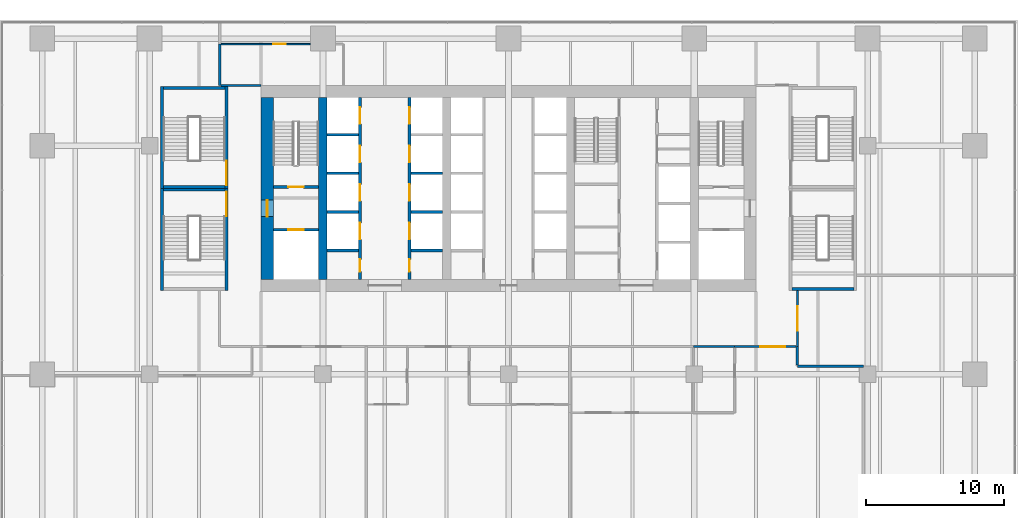
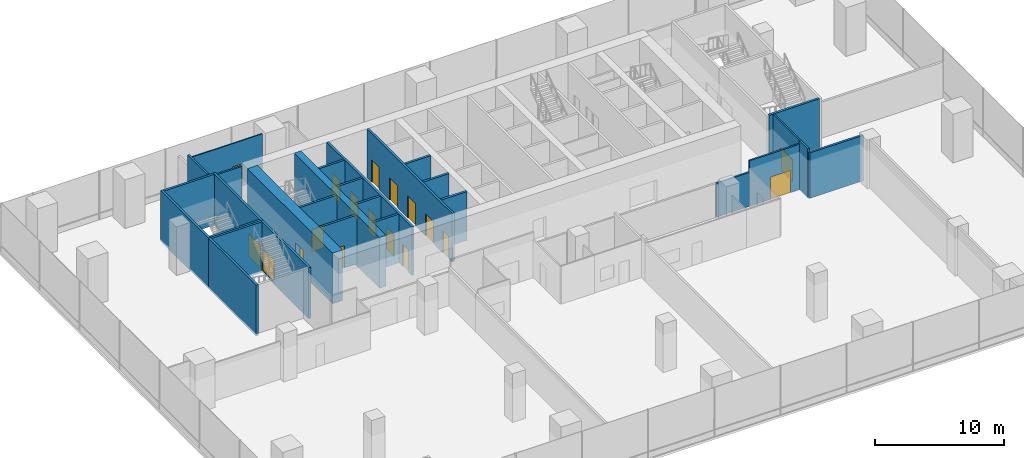
# One storey, part 20 of 28: 29 walls, 18 doors, 18 openings.
"""IFC4 building model written with IfcOpenShell, lengths in metres."""

from ifc_helpers import new_model, si_unit, direction, frame, frame_2d, origin, place, context, subcontext, project, spatial, rectangle, extrude, material, layer, layer_set, type_object, element, fill, save


model = new_model("IFC4")

# Units and contexts
model_context = context("Model", 3, precision=1e-05, world=origin(), true_north=direction((0.0, 1.0)))
body_context = subcontext(model_context, "Body", "Model", "MODEL_VIEW")
ifc_project = project(units=[si_unit("LENGTHUNIT", "METRE"), si_unit("AREAUNIT", "SQUARE_METRE"), si_unit("VOLUMEUNIT", "CUBIC_METRE"), si_unit("PLANEANGLEUNIT", "RADIAN"), si_unit("MASSUNIT", "GRAM", prefix="KILO")], contexts=[model_context])

# Site, building, storey
site_placement = place(None, origin())
site = spatial("IfcSite", under=ifc_project, at=site_placement, CompositionType="ELEMENT")
building_placement = place(site_placement, origin())
building = spatial("IfcBuilding", under=site, at=building_placement, Name="Rattan Terrace Tower", CompositionType="ELEMENT")
storey_placement = place(building_placement, frame((0.0, 0.0, 17.39990234375)))
storey = spatial("IfcBuildingStorey", under=building, at=storey_placement, Name="L03", CompositionType="ELEMENT", Elevation=17.39990234375)

# Wall, opening, door
ifc_material_1 = material(Name="Gypsum board partition")
ifc_layer_1 = layer(ifc_material_1, 0.199951171875)
ifc_layer_set_1 = layer_set([ifc_layer_1], Name="Core partition 200")
wall_type_1 = type_object("IfcWallType", Name="Core partition 200", PredefinedType="PARTITIONING", material=ifc_layer_set_1)
wall_1_placement = place(storey_placement, frame((-17.10009765625, -3.0, 0.0), z_axis=(0.0, 0.0, 1.0), x_axis=(1.0, 0.0, 0.0)))
wall_1 = element("IfcWall", 1, at=wall_1_placement, inside=storey, type_object=wall_type_1, Name="Fire-fighting lobby wall", PredefinedType="PARTITIONING", context=body_context, shape_type="SweptSolid", body=[
    extrude(rectangle(XDim=3.300048828125, YDim=0.199951171875, at=frame_2d((1.64990234375, 0.0))), origin(), (0.0, 0.0, 1.0), 4.60009765625),
])
opening_1_placement = place(wall_1_placement, frame((1.10009765625, 0.0, 0.0)))
opening_1 = element("IfcOpeningElement", 2, at=opening_1_placement, cuts=wall_1, Name="Opening L03-LD-FF1", PredefinedType="OPENING", context=body_context, shape_type="SweptSolid", body=[
    extrude(rectangle(XDim=1.10009765625, YDim=2.10009765625, at=frame_2d((0.550048828125, 1.050048828125))), frame((0.0, 0.110595703125, 0.0), z_axis=(0.0, -1.0, 0.0), x_axis=(1.0, 0.0, 0.0)), (0.0, 0.0, 1.0), 0.220947265625),
])
ifc_material_2 = material(Name="Brushed stainless landing door panel")
door_type_1 = type_object("IfcDoorType", Name="Core lift landing door 1100", OperationType="DOUBLE_DOOR_SLIDING", PredefinedType="DOOR", material=ifc_material_2)
door_1_placement = place(opening_1_placement, origin())
door_1 = element("IfcDoor", 3, at=door_1_placement, inside=storey, type_object=door_type_1, Name="Door L03-LD-FF1", OperationType="DOUBLE_DOOR_SLIDING", OverallHeight=2.10009765625, OverallWidth=1.10009765625, PredefinedType="DOOR", context=body_context, shape_type="SweptSolid", body=[
    extrude(rectangle(XDim=1.10009765625, YDim=2.10009765625, at=frame_2d((0.550048828125, 1.050048828125))), frame((0.0, 0.02490234375, 0.0), z_axis=(0.0, -1.0, 0.0), x_axis=(1.0, 0.0, 0.0)), (0.0, 0.0, 1.0), 0.050048828125),
])
fill(opening_1, door_1)

wall_2_placement = place(storey_placement, frame((-17.10009765625, 0.10009765625, 0.0), z_axis=(0.0, 0.0, 1.0), x_axis=(1.0, 0.0, 0.0)))
wall_2 = element("IfcWall", 4, at=wall_2_placement, inside=storey, type_object=wall_type_1, Name="Stair enclosure wall", PredefinedType="PARTITIONING", context=body_context, shape_type="SweptSolid", body=[
    extrude(rectangle(XDim=3.300048828125, YDim=0.199951171875, at=frame_2d((1.64990234375, 0.0))), origin(), (0.0, 0.0, 1.0), 4.60009765625),
])
opening_2_placement = place(wall_2_placement, frame((1.10009765625, 0.0, 0.0)))
opening_2 = element("IfcOpeningElement", 5, at=opening_2_placement, cuts=wall_2, Name="Opening L03-D002", PredefinedType="OPENING", context=body_context, shape_type="SweptSolid", body=[
    extrude(rectangle(XDim=1.10009765625, YDim=2.10009765625, at=frame_2d((0.550048828125, 1.050048828125))), frame((0.0, 0.110595703125, 0.0), z_axis=(0.0, -1.0, 0.0), x_axis=(1.0, 0.0, 0.0)), (0.0, 0.0, 1.0), 0.220947265625),
])
ifc_material_3 = material(Name="Hollow-metal fire door leaf")
door_type_2 = type_object("IfcDoorType", Name="Core stair door 1100", OperationType="NOTDEFINED", PredefinedType="DOOR", material=ifc_material_3)
door_2_placement = place(opening_2_placement, origin())
door_2 = element("IfcDoor", 6, at=door_2_placement, inside=storey, type_object=door_type_2, Name="Door L03-D002", OperationType="SINGLE_SWING_LEFT", OverallHeight=2.10009765625, OverallWidth=1.10009765625, PredefinedType="DOOR", context=body_context, shape_type="SweptSolid", body=[
    extrude(rectangle(XDim=1.10009765625, YDim=2.10009765625, at=frame_2d((0.550048828125, 1.050048828125))), frame((0.0, 0.02490234375, 0.0), z_axis=(0.0, -1.0, 0.0), x_axis=(1.0, 0.0, 0.0)), (0.0, 0.0, 1.0), 0.050048828125),
])
fill(opening_2, door_2)

ifc_material_4 = material(Name="Concrete C70/85", Category="concrete")
ifc_layer_2 = layer(ifc_material_4, 0.89990234375)
ifc_layer_set_2 = layer_set([ifc_layer_2], Name="Core ring wall 900 C70/85")
wall_type_2 = type_object("IfcWallType", Name="Core ring wall 900 C70/85", PredefinedType="SHEAR", material=ifc_layer_set_2)
wall_3_placement = place(storey_placement, frame((-17.550048828125, -6.60009765625, -0.199951171875), z_axis=(0.0, 0.0, 1.0), x_axis=(0.0, 1.0, 0.0)))
wall_3 = element("IfcWall", 7, at=wall_3_placement, inside=storey, type_object=wall_type_2, Name="Rear core wall west", PredefinedType="SHEAR", context=body_context, shape_type="SweptSolid", body=[
    extrude(rectangle(XDim=13.2001953125, YDim=0.89990234375, at=frame_2d((6.60009765625, 0.0))), origin(), (0.0, 0.0, 1.0), 4.800048828125),
])
opening_3_placement = place(wall_3_placement, frame((4.550048828125, 0.0, 0.199951171875)))
opening_3 = element("IfcOpeningElement", 8, at=opening_3_placement, cuts=wall_3, Name="Opening L03-D001", PredefinedType="OPENING", context=body_context, shape_type="SweptSolid", body=[
    extrude(rectangle(XDim=1.199951171875, YDim=2.10009765625, at=frame_2d((0.60009765625, 1.050048828125))), frame((0.0, 0.46044921875, 0.0), z_axis=(0.0, -1.0, 0.0), x_axis=(1.0, 0.0, 0.0)), (0.0, 0.0, 1.0), 0.9208984375),
])
ifc_material_5 = material(Name="Hollow-metal fire door leaf")
door_type_3 = type_object("IfcDoorType", Name="Core fire-fighting lobby door 1200", OperationType="NOTDEFINED", PredefinedType="DOOR", material=ifc_material_5)
door_3_placement = place(opening_3_placement, origin())
door_3 = element("IfcDoor", 9, at=door_3_placement, inside=storey, type_object=door_type_3, Name="Door L03-D001", OperationType="SINGLE_SWING_RIGHT", OverallHeight=2.10009765625, OverallWidth=1.199951171875, PredefinedType="DOOR", context=body_context, shape_type="SweptSolid", body=[
    extrude(rectangle(XDim=1.199951171875, YDim=2.10009765625, at=frame_2d((0.60009765625, 1.050048828125))), frame((0.0, 0.02490234375, 0.0), z_axis=(0.0, -1.0, 0.0), x_axis=(1.0, 0.0, 0.0)), (0.0, 0.0, 1.0), 0.050048828125),
])
fill(opening_3, door_3)

# Walls
ifc_material_6 = material(Name="Concrete C70/85", Category="concrete")
ifc_layer_3 = layer(ifc_material_6, 0.60009765625)
ifc_layer_set_3 = layer_set([ifc_layer_3], Name="Core spine wall 600 C70/85")
wall_type_3 = type_object("IfcWallType", Name="Core spine wall 600 C70/85", PredefinedType="SHEAR", material=ifc_layer_set_3)
wall_4_placement = place(storey_placement, frame((-13.5, -6.60009765625, -0.199951171875), z_axis=(0.0, 0.0, 1.0), x_axis=(0.0, 1.0, 0.0)))
element("IfcWall", 10, at=wall_4_placement, inside=storey, type_object=wall_type_3, Name="Core spine wall 1", PredefinedType="SHEAR", context=body_context, shape_type="SweptSolid", body=[
    extrude(rectangle(XDim=13.2001953125, YDim=0.60009765625, at=frame_2d((6.60009765625, 0.0))), origin(), (0.0, 0.0, 1.0), 4.800048828125),
])
ifc_material_7 = material(Name="Double steel stud acoustic partition, gypsum board, mineral wool, fire rated", Category="steel")
ifc_layer_4 = layer(ifc_material_7, 0.179931640625)
ifc_layer_set_4 = layer_set([ifc_layer_4], Name="Floors Acoustic Party Wall 180")
wall_type_4 = type_object("IfcWallType", Name="Floors Acoustic Party Wall 180", PredefinedType="PARTITIONING", material=ifc_layer_set_4)
wall_5_placement = place(storey_placement, frame((-21.0, 10.52001953125, 0.0), z_axis=(0.0, 0.0, 1.0), x_axis=(0.0, -1.0, 0.0)))
element("IfcWall", 11, at=wall_5_placement, inside=storey, type_object=wall_type_4, Name="pt-L03-021", PredefinedType="PARTITIONING", context=body_context, shape_type="SweptSolid", body=[
    extrude(rectangle(XDim=3.0400390625, YDim=0.179931640625, at=frame_2d((1.52001953125, 0.0))), origin(), (0.0, 0.0, 1.0), 4.60009765625),
])
wall_6_placement = place(storey_placement, frame((20.9990234375, -11.5, 0.0), z_axis=(0.0, 0.0, 1.0), x_axis=(0.0, -1.0, 0.0)))
element("IfcWall", 12, at=wall_6_placement, inside=storey, type_object=wall_type_4, Name="pt-L03-035", PredefinedType="PARTITIONING", context=body_context, shape_type="SweptSolid", body=[
    extrude(rectangle(XDim=1.319091796875, YDim=0.179931640625, at=frame_2d((0.65966796875, 0.0))), origin(), (0.0, 0.0, 1.0), 4.60009765625),
])
wall_7_placement = place(storey_placement, frame((21.0, -12.908935546875, 0.0), z_axis=(0.0, 0.0, 1.0), x_axis=(1.0, 0.0, 0.0)))
element("IfcWall", 13, at=wall_7_placement, inside=storey, type_object=wall_type_4, Name="pt-L03-036", PredefinedType="PARTITIONING", context=body_context, shape_type="SweptSolid", body=[
    extrude(rectangle(XDim=4.800048828125, YDim=0.179931640625, at=frame_2d((2.39990234375, 0.0))), origin(), (0.0, 0.0, 1.0), 4.300048828125),
])

# Wall, opening, door
ifc_material_8 = material(Name="Gypsum board partition on steel studs", Category="steel")
ifc_layer_5 = layer(ifc_material_8, 0.10009765625)
ifc_layer_set_5 = layer_set([ifc_layer_5], Name="Floors Partition 100")
wall_type_5 = type_object("IfcWallType", Name="Floors Partition 100", PredefinedType="PARTITIONING", material=ifc_layer_set_5)
wall_8_placement = place(storey_placement, frame((-14.419921875, 10.5, 0.0), z_axis=(0.0, 0.0, 1.0), x_axis=(-1.0, 0.0, 0.0)))
wall_8 = element("IfcWall", 14, at=wall_8_placement, inside=storey, type_object=wall_type_5, Name="pt-L03-043", PredefinedType="PARTITIONING", context=body_context, shape_type="SweptSolid", body=[
    extrude(rectangle(XDim=6.489990234375, YDim=0.10009765625, at=frame_2d((3.2451171875, 0.0))), origin(), (0.0, 0.0, 1.0), 4.300048828125),
])
opening_4_placement = place(wall_8_placement, frame((1.777099609375, 0.0, 0.0)))
opening_4 = element("IfcOpeningElement", 15, at=opening_4_placement, cuts=wall_8, Name="Opening L03-D111", PredefinedType="OPENING", context=body_context, shape_type="SweptSolid", body=[
    extrude(rectangle(XDim=0.89990234375, YDim=2.10009765625, at=frame_2d((0.449951171875, 1.050048828125))), frame((0.0, 0.060546875, 0.0), z_axis=(0.0, -1.0, 0.0), x_axis=(1.0, 0.0, 0.0)), (0.0, 0.0, 1.0), 0.12109375),
])
ifc_material_9 = material(Name="Solid core timber door, painted", Category="wood")
door_type_4 = type_object("IfcDoorType", Name="Floors Door 900x2100", OperationType="NOTDEFINED", PredefinedType="DOOR", material=ifc_material_9)
door_4_placement = place(opening_4_placement, origin())
door_4 = element("IfcDoor", 16, at=door_4_placement, inside=storey, type_object=door_type_4, Name="d-L03-111", OperationType="SINGLE_SWING_LEFT", OverallHeight=2.10009765625, OverallWidth=0.89990234375, PredefinedType="DOOR", context=body_context, shape_type="SweptSolid", body=[
    extrude(rectangle(XDim=0.89990234375, YDim=2.10009765625, at=frame_2d((0.449951171875, 1.050048828125))), frame((0.0, 0.02490234375, 0.0), z_axis=(0.0, -1.0, 0.0), x_axis=(1.0, 0.0, 0.0)), (0.0, 0.0, 1.0), 0.050048828125),
])
fill(opening_4, door_4)

ifc_material_10 = material(Name="Gypsum board partition on steel studs, fire rated", Category="steel")
ifc_layer_6 = layer(ifc_material_10, 0.14990234375)
ifc_layer_set_6 = layer_set([ifc_layer_6], Name="Floors Tenancy Wall 150")
wall_type_6 = type_object("IfcWallType", Name="Floors Tenancy Wall 150", PredefinedType="PARTITIONING", material=ifc_layer_set_6)
wall_9_placement = place(storey_placement, frame((20.908935546875, -11.5, 0.0), z_axis=(0.0, 0.0, 1.0), x_axis=(-1.0, 0.0, 0.0)))
wall_9 = element("IfcWall", 17, at=wall_9_placement, inside=storey, type_object=wall_type_6, Name="pt-L03-008", PredefinedType="PARTITIONING", context=body_context, shape_type="SweptSolid", body=[
    extrude(rectangle(XDim=4.489013671875, YDim=0.14990234375, at=frame_2d((2.24462890625, 0.0))), origin(), (0.0, 0.0, 1.0), 4.300048828125),
])
opening_5_placement = place(wall_9_placement, frame((0.797119140625, 0.0, 0.0)))
opening_5 = element("IfcOpeningElement", 18, at=opening_5_placement, cuts=wall_9, Name="Opening L03-D106", PredefinedType="OPENING", context=body_context, shape_type="SweptSolid", body=[
    extrude(rectangle(XDim=1.800048828125, YDim=2.10009765625, at=frame_2d((0.89990234375, 1.050048828125))), frame((0.0, 0.08544921875, 0.0), z_axis=(0.0, -1.0, 0.0), x_axis=(1.0, 0.0, 0.0)), (0.0, 0.0, 1.0), 0.1708984375),
])
ifc_material_11 = material(Name="Steel fire door set", Category="steel")
door_type_5 = type_object("IfcDoorType", Name="Floors Fire Door Pair FD30S 1800x2100", OperationType="NOTDEFINED", PredefinedType="DOOR", material=ifc_material_11)
door_5_placement = place(opening_5_placement, origin())
door_5 = element("IfcDoor", 19, at=door_5_placement, inside=storey, type_object=door_type_5, Name="d-L03-106", OperationType="DOUBLE_DOOR_SINGLE_SWING", OverallHeight=2.10009765625, OverallWidth=1.800048828125, PredefinedType="DOOR", context=body_context, shape_type="SweptSolid", body=[
    extrude(rectangle(XDim=1.800048828125, YDim=2.10009765625, at=frame_2d((0.89990234375, 1.050048828125))), frame((0.0, 0.02490234375, 0.0), z_axis=(0.0, -1.0, 0.0), x_axis=(1.0, 0.0, 0.0)), (0.0, 0.0, 1.0), 0.050048828125),
])
fill(opening_5, door_5)

# Wall
wall_10_placement = place(storey_placement, frame((16.419921875, -11.5, 0.0), z_axis=(0.0, 0.0, 1.0), x_axis=(-1.0, 0.0, 0.0)))
element("IfcWall", 20, at=wall_10_placement, inside=storey, type_object=wall_type_6, Name="pt-L03-010", PredefinedType="PARTITIONING", context=body_context, shape_type="SweptSolid", body=[
    extrude(rectangle(XDim=2.9599609375, YDim=0.14990234375, at=frame_2d((1.47998046875, 0.0))), origin(), (0.0, 0.0, 1.0), 3.2001953125),
])

# Wall, opening, door
wall_11_placement = place(storey_placement, frame((21.0, -7.39990234375, 0.0), z_axis=(0.0, 0.0, 1.0), x_axis=(0.0, -1.0, 0.0)))
wall_11 = element("IfcWall", 21, at=wall_11_placement, inside=storey, type_object=wall_type_6, Name="pt-L03-011", PredefinedType="PARTITIONING", context=body_context, shape_type="SweptSolid", body=[
    extrude(rectangle(XDim=4.10009765625, YDim=0.14990234375, at=frame_2d((2.050048828125, 0.0))), origin(), (0.0, 0.0, 1.0), 4.60009765625),
])
opening_6_placement = place(wall_11_placement, frame((1.14990234375, 0.0, 0.0)))
opening_6 = element("IfcOpeningElement", 22, at=opening_6_placement, cuts=wall_11, Name="Opening L03-D109", PredefinedType="OPENING", context=body_context, shape_type="SweptSolid", body=[
    extrude(rectangle(XDim=1.800048828125, YDim=2.10009765625, at=frame_2d((0.89990234375, 1.050048828125))), frame((0.0, 0.08544921875, 0.0), z_axis=(0.0, -1.0, 0.0), x_axis=(1.0, 0.0, 0.0)), (0.0, 0.0, 1.0), 0.1708984375),
])
door_6_placement = place(opening_6_placement, origin())
door_6 = element("IfcDoor", 23, at=door_6_placement, inside=storey, type_object=door_type_5, Name="d-L03-109", OperationType="DOUBLE_DOOR_SINGLE_SWING", OverallHeight=2.10009765625, OverallWidth=1.800048828125, PredefinedType="DOOR", context=body_context, shape_type="SweptSolid", body=[
    extrude(rectangle(XDim=1.800048828125, YDim=2.10009765625, at=frame_2d((0.89990234375, 1.050048828125))), frame((0.0, 0.02490234375, 0.0), z_axis=(0.0, -1.0, 0.0), x_axis=(1.0, 0.0, 0.0)), (0.0, 0.0, 1.0), 0.050048828125),
])
fill(opening_6, door_6)

# Wall
wall_12_placement = place(storey_placement, frame((-20.909912109375, 7.4990234375, 0.0), z_axis=(0.0, 0.0, 1.0), x_axis=(1.0, 0.0, 0.0)))
element("IfcWall", 24, at=wall_12_placement, inside=storey, type_object=wall_type_6, Name="pt-L03-013", PredefinedType="PARTITIONING", context=body_context, shape_type="SweptSolid", body=[
    extrude(rectangle(XDim=2.909912109375, YDim=0.14990234375, at=frame_2d((1.455078125, 0.0))), origin(), (0.0, 0.0, 1.0), 4.300048828125),
])

# Wall, openings, doors
ifc_material_12 = material(Name="Gypsum shaft wall system")
ifc_layer_7 = layer(ifc_material_12, 0.199951171875)
ifc_layer_set_7 = layer_set([ifc_layer_7], Name="Lift shaft wall 200")
wall_type_7 = type_object("IfcWallType", Name="Lift shaft wall 200", PredefinedType="PARTITIONING", material=ifc_layer_set_7)
wall_13_placement = place(storey_placement, frame((-10.800048828125, -6.60009765625, 0.0), z_axis=(0.0, 0.0, 1.0), x_axis=(0.0, 1.0, 0.0)))
wall_13 = element("IfcWall", 25, at=wall_13_placement, inside=storey, type_object=wall_type_7, Name="Lift shaft front wall", PredefinedType="PARTITIONING", context=body_context, shape_type="SweptSolid", body=[
    extrude(rectangle(XDim=13.2001953125, YDim=0.199951171875, at=frame_2d((6.60009765625, 0.0))), origin(), (0.0, 0.0, 1.0), 4.60009765625),
])
opening_7_placement = place(wall_13_placement, frame((0.550048828125, 0.0, 0.0)))
opening_7 = element("IfcOpeningElement", 26, at=opening_7_placement, cuts=wall_13, Name="Opening L03-D005", PredefinedType="OPENING", context=body_context, shape_type="SweptSolid", body=[
    extrude(rectangle(XDim=0.89990234375, YDim=2.10009765625, at=frame_2d((0.449951171875, 1.050048828125))), frame((0.0, 0.110595703125, 0.0), z_axis=(0.0, -1.0, 0.0), x_axis=(1.0, 0.0, 0.0)), (0.0, 0.0, 1.0), 0.220947265625),
])
opening_8_placement = place(wall_13_placement, frame((2.89990234375, 0.0, 0.0)))
opening_8 = element("IfcOpeningElement", 27, at=opening_8_placement, cuts=wall_13, Name="Opening L03-LD-LR1", PredefinedType="OPENING", context=body_context, shape_type="SweptSolid", body=[
    extrude(rectangle(XDim=1.199951171875, YDim=2.10009765625, at=frame_2d((0.60009765625, 1.050048828125))), frame((0.0, 0.110595703125, 0.0), z_axis=(0.0, -1.0, 0.0), x_axis=(1.0, 0.0, 0.0)), (0.0, 0.0, 1.0), 0.220947265625),
])
opening_9_placement = place(wall_13_placement, frame((5.699951171875, 0.0, 0.0)))
opening_9 = element("IfcOpeningElement", 28, at=opening_9_placement, cuts=wall_13, Name="Opening L03-LD-LR2", PredefinedType="OPENING", context=body_context, shape_type="SweptSolid", body=[
    extrude(rectangle(XDim=1.199951171875, YDim=2.10009765625, at=frame_2d((0.60009765625, 1.050048828125))), frame((0.0, 0.110595703125, 0.0), z_axis=(0.0, -1.0, 0.0), x_axis=(1.0, 0.0, 0.0)), (0.0, 0.0, 1.0), 0.220947265625),
])
opening_10_placement = place(wall_13_placement, frame((8.5, 0.0, 0.0)))
opening_10 = element("IfcOpeningElement", 29, at=opening_10_placement, cuts=wall_13, Name="Opening L03-LD-LR3", PredefinedType="OPENING", context=body_context, shape_type="SweptSolid", body=[
    extrude(rectangle(XDim=1.199951171875, YDim=2.10009765625, at=frame_2d((0.60009765625, 1.050048828125))), frame((0.0, 0.110595703125, 0.0), z_axis=(0.0, -1.0, 0.0), x_axis=(1.0, 0.0, 0.0)), (0.0, 0.0, 1.0), 0.220947265625),
])
opening_11_placement = place(wall_13_placement, frame((11.300048828125, 0.0, 0.0)))
opening_11 = element("IfcOpeningElement", 30, at=opening_11_placement, cuts=wall_13, Name="Opening L03-LD-LR4", PredefinedType="OPENING", context=body_context, shape_type="SweptSolid", body=[
    extrude(rectangle(XDim=1.199951171875, YDim=2.10009765625, at=frame_2d((0.60009765625, 1.050048828125))), frame((0.0, 0.110595703125, 0.0), z_axis=(0.0, -1.0, 0.0), x_axis=(1.0, 0.0, 0.0)), (0.0, 0.0, 1.0), 0.220947265625),
])
ifc_material_13 = material(Name="Brushed stainless landing door panel")
door_type_6 = type_object("IfcDoorType", Name="Core lift landing door 1200", OperationType="DOUBLE_DOOR_SLIDING", PredefinedType="DOOR", material=ifc_material_13)
door_7_placement = place(opening_8_placement, origin())
door_7 = element("IfcDoor", 31, at=door_7_placement, inside=storey, type_object=door_type_6, Name="Door L03-LD-LR1", OperationType="DOUBLE_DOOR_SLIDING", OverallHeight=2.10009765625, OverallWidth=1.199951171875, PredefinedType="DOOR", context=body_context, shape_type="SweptSolid", body=[
    extrude(rectangle(XDim=1.199951171875, YDim=2.10009765625, at=frame_2d((0.60009765625, 1.050048828125))), frame((0.0, 0.02490234375, 0.0), z_axis=(0.0, -1.0, 0.0), x_axis=(1.0, 0.0, 0.0)), (0.0, 0.0, 1.0), 0.050048828125),
])
fill(opening_8, door_7)
door_8_placement = place(opening_9_placement, origin())
door_8 = element("IfcDoor", 32, at=door_8_placement, inside=storey, type_object=door_type_6, Name="Door L03-LD-LR2", OperationType="DOUBLE_DOOR_SLIDING", OverallHeight=2.10009765625, OverallWidth=1.199951171875, PredefinedType="DOOR", context=body_context, shape_type="SweptSolid", body=[
    extrude(rectangle(XDim=1.199951171875, YDim=2.10009765625, at=frame_2d((0.60009765625, 1.050048828125))), frame((0.0, 0.02490234375, 0.0), z_axis=(0.0, -1.0, 0.0), x_axis=(1.0, 0.0, 0.0)), (0.0, 0.0, 1.0), 0.050048828125),
])
fill(opening_9, door_8)
door_9_placement = place(opening_10_placement, origin())
door_9 = element("IfcDoor", 33, at=door_9_placement, inside=storey, type_object=door_type_6, Name="Door L03-LD-LR3", OperationType="DOUBLE_DOOR_SLIDING", OverallHeight=2.10009765625, OverallWidth=1.199951171875, PredefinedType="DOOR", context=body_context, shape_type="SweptSolid", body=[
    extrude(rectangle(XDim=1.199951171875, YDim=2.10009765625, at=frame_2d((0.60009765625, 1.050048828125))), frame((0.0, 0.02490234375, 0.0), z_axis=(0.0, -1.0, 0.0), x_axis=(1.0, 0.0, 0.0)), (0.0, 0.0, 1.0), 0.050048828125),
])
fill(opening_10, door_9)
door_10_placement = place(opening_11_placement, origin())
door_10 = element("IfcDoor", 34, at=door_10_placement, inside=storey, type_object=door_type_6, Name="Door L03-LD-LR4", OperationType="DOUBLE_DOOR_SLIDING", OverallHeight=2.10009765625, OverallWidth=1.199951171875, PredefinedType="DOOR", context=body_context, shape_type="SweptSolid", body=[
    extrude(rectangle(XDim=1.199951171875, YDim=2.10009765625, at=frame_2d((0.60009765625, 1.050048828125))), frame((0.0, 0.02490234375, 0.0), z_axis=(0.0, -1.0, 0.0), x_axis=(1.0, 0.0, 0.0)), (0.0, 0.0, 1.0), 0.050048828125),
])
fill(opening_11, door_10)
ifc_material_14 = material(Name="Hollow-metal fire door leaf")
door_type_7 = type_object("IfcDoorType", Name="Core riser door 900", OperationType="NOTDEFINED", PredefinedType="DOOR", material=ifc_material_14)
door_11_placement = place(opening_7_placement, origin())
door_11 = element("IfcDoor", 35, at=door_11_placement, inside=storey, type_object=door_type_7, Name="Door L03-D005", OperationType="SINGLE_SWING_RIGHT", OverallHeight=2.10009765625, OverallWidth=0.89990234375, PredefinedType="DOOR", context=body_context, shape_type="SweptSolid", body=[
    extrude(rectangle(XDim=0.89990234375, YDim=2.10009765625, at=frame_2d((0.449951171875, 1.050048828125))), frame((0.0, 0.02490234375, 0.0), z_axis=(0.0, -1.0, 0.0), x_axis=(1.0, 0.0, 0.0)), (0.0, 0.0, 1.0), 0.050048828125),
])
fill(opening_7, door_11)

wall_14_placement = place(storey_placement, frame((-7.199951171875, -6.60009765625, 0.0), z_axis=(0.0, 0.0, 1.0), x_axis=(0.0, 1.0, 0.0)))
wall_14 = element("IfcWall", 36, at=wall_14_placement, inside=storey, type_object=wall_type_7, Name="Lift shaft front wall", PredefinedType="PARTITIONING", context=body_context, shape_type="SweptSolid", body=[
    extrude(rectangle(XDim=13.2001953125, YDim=0.199951171875, at=frame_2d((6.60009765625, 0.0))), origin(), (0.0, 0.0, 1.0), 4.60009765625),
])
opening_12_placement = place(wall_14_placement, frame((0.550048828125, 0.0, 0.0)))
opening_12 = element("IfcOpeningElement", 37, at=opening_12_placement, cuts=wall_14, Name="Opening L03-D006", PredefinedType="OPENING", context=body_context, shape_type="SweptSolid", body=[
    extrude(rectangle(XDim=0.89990234375, YDim=2.10009765625, at=frame_2d((0.449951171875, 1.050048828125))), frame((0.0, 0.110595703125, 0.0), z_axis=(0.0, -1.0, 0.0), x_axis=(1.0, 0.0, 0.0)), (0.0, 0.0, 1.0), 0.220947265625),
])
opening_13_placement = place(wall_14_placement, frame((2.89990234375, 0.0, 0.0)))
opening_13 = element("IfcOpeningElement", 38, at=opening_13_placement, cuts=wall_14, Name="Opening L03-LD-LR5", PredefinedType="OPENING", context=body_context, shape_type="SweptSolid", body=[
    extrude(rectangle(XDim=1.199951171875, YDim=2.10009765625, at=frame_2d((0.60009765625, 1.050048828125))), frame((0.0, 0.110595703125, 0.0), z_axis=(0.0, -1.0, 0.0), x_axis=(1.0, 0.0, 0.0)), (0.0, 0.0, 1.0), 0.220947265625),
])
opening_14_placement = place(wall_14_placement, frame((5.699951171875, 0.0, 0.0)))
opening_14 = element("IfcOpeningElement", 39, at=opening_14_placement, cuts=wall_14, Name="Opening L03-LD-LR6", PredefinedType="OPENING", context=body_context, shape_type="SweptSolid", body=[
    extrude(rectangle(XDim=1.199951171875, YDim=2.10009765625, at=frame_2d((0.60009765625, 1.050048828125))), frame((0.0, 0.110595703125, 0.0), z_axis=(0.0, -1.0, 0.0), x_axis=(1.0, 0.0, 0.0)), (0.0, 0.0, 1.0), 0.220947265625),
])
opening_15_placement = place(wall_14_placement, frame((8.5, 0.0, 0.0)))
opening_15 = element("IfcOpeningElement", 40, at=opening_15_placement, cuts=wall_14, Name="Opening L03-LD-LR7", PredefinedType="OPENING", context=body_context, shape_type="SweptSolid", body=[
    extrude(rectangle(XDim=1.199951171875, YDim=2.10009765625, at=frame_2d((0.60009765625, 1.050048828125))), frame((0.0, 0.110595703125, 0.0), z_axis=(0.0, -1.0, 0.0), x_axis=(1.0, 0.0, 0.0)), (0.0, 0.0, 1.0), 0.220947265625),
])
opening_16_placement = place(wall_14_placement, frame((11.300048828125, 0.0, 0.0)))
opening_16 = element("IfcOpeningElement", 41, at=opening_16_placement, cuts=wall_14, Name="Opening L03-LD-LR8", PredefinedType="OPENING", context=body_context, shape_type="SweptSolid", body=[
    extrude(rectangle(XDim=1.199951171875, YDim=2.10009765625, at=frame_2d((0.60009765625, 1.050048828125))), frame((0.0, 0.110595703125, 0.0), z_axis=(0.0, -1.0, 0.0), x_axis=(1.0, 0.0, 0.0)), (0.0, 0.0, 1.0), 0.220947265625),
])
door_12_placement = place(opening_13_placement, origin())
door_12 = element("IfcDoor", 42, at=door_12_placement, inside=storey, type_object=door_type_6, Name="Door L03-LD-LR5", OperationType="DOUBLE_DOOR_SLIDING", OverallHeight=2.10009765625, OverallWidth=1.199951171875, PredefinedType="DOOR", context=body_context, shape_type="SweptSolid", body=[
    extrude(rectangle(XDim=1.199951171875, YDim=2.10009765625, at=frame_2d((0.60009765625, 1.050048828125))), frame((0.0, 0.02490234375, 0.0), z_axis=(0.0, -1.0, 0.0), x_axis=(1.0, 0.0, 0.0)), (0.0, 0.0, 1.0), 0.050048828125),
])
fill(opening_13, door_12)
door_13_placement = place(opening_14_placement, origin())
door_13 = element("IfcDoor", 43, at=door_13_placement, inside=storey, type_object=door_type_6, Name="Door L03-LD-LR6", OperationType="DOUBLE_DOOR_SLIDING", OverallHeight=2.10009765625, OverallWidth=1.199951171875, PredefinedType="DOOR", context=body_context, shape_type="SweptSolid", body=[
    extrude(rectangle(XDim=1.199951171875, YDim=2.10009765625, at=frame_2d((0.60009765625, 1.050048828125))), frame((0.0, 0.02490234375, 0.0), z_axis=(0.0, -1.0, 0.0), x_axis=(1.0, 0.0, 0.0)), (0.0, 0.0, 1.0), 0.050048828125),
])
fill(opening_14, door_13)
door_14_placement = place(opening_15_placement, origin())
door_14 = element("IfcDoor", 44, at=door_14_placement, inside=storey, type_object=door_type_6, Name="Door L03-LD-LR7", OperationType="DOUBLE_DOOR_SLIDING", OverallHeight=2.10009765625, OverallWidth=1.199951171875, PredefinedType="DOOR", context=body_context, shape_type="SweptSolid", body=[
    extrude(rectangle(XDim=1.199951171875, YDim=2.10009765625, at=frame_2d((0.60009765625, 1.050048828125))), frame((0.0, 0.02490234375, 0.0), z_axis=(0.0, -1.0, 0.0), x_axis=(1.0, 0.0, 0.0)), (0.0, 0.0, 1.0), 0.050048828125),
])
fill(opening_15, door_14)
door_15_placement = place(opening_16_placement, origin())
door_15 = element("IfcDoor", 45, at=door_15_placement, inside=storey, type_object=door_type_6, Name="Door L03-LD-LR8", OperationType="DOUBLE_DOOR_SLIDING", OverallHeight=2.10009765625, OverallWidth=1.199951171875, PredefinedType="DOOR", context=body_context, shape_type="SweptSolid", body=[
    extrude(rectangle(XDim=1.199951171875, YDim=2.10009765625, at=frame_2d((0.60009765625, 1.050048828125))), frame((0.0, 0.02490234375, 0.0), z_axis=(0.0, -1.0, 0.0), x_axis=(1.0, 0.0, 0.0)), (0.0, 0.0, 1.0), 0.050048828125),
])
fill(opening_16, door_15)
door_16_placement = place(opening_12_placement, origin())
door_16 = element("IfcDoor", 46, at=door_16_placement, inside=storey, type_object=door_type_7, Name="Door L03-D006", OperationType="SINGLE_SWING_LEFT", OverallHeight=2.10009765625, OverallWidth=0.89990234375, PredefinedType="DOOR", context=body_context, shape_type="SweptSolid", body=[
    extrude(rectangle(XDim=0.89990234375, YDim=2.10009765625, at=frame_2d((0.449951171875, 1.050048828125))), frame((0.0, 0.02490234375, 0.0), z_axis=(0.0, -1.0, 0.0), x_axis=(1.0, 0.0, 0.0)), (0.0, 0.0, 1.0), 0.050048828125),
])
fill(opening_12, door_16)

# Walls
for number, where, z_axis, x_axis, name in (
    (47, (-13.199951171875, -1.699951171875, 0.0), (0.0, 0.0, 1.0), (1.0, 0.0, 0.0), "Lift shaft wall"),
    (48, (-13.199951171875, 1.10009765625, 0.0), (0.0, 0.0, 1.0), (1.0, 0.0, 0.0), "Lift shaft wall"),
    (49, (-13.199951171875, 3.89990234375, 0.0), (0.0, 0.0, 1.0), (1.0, 0.0, 0.0), "Lift shaft wall"),
    (50, (-13.199951171875, -4.5, 0.0), (0.0, 0.0, 1.0), (1.0, 0.0, 0.0), "Lift shaft wall"),
    (51, (-7.10009765625, -1.699951171875, 0.0), (0.0, 0.0, 1.0), (1.0, 0.0, 0.0), "Lift shaft wall"),
    (52, (-7.10009765625, 1.10009765625, 0.0), (0.0, 0.0, 1.0), (1.0, 0.0, 0.0), "Lift shaft wall"),
    (53, (-7.10009765625, -4.5, 0.0), (0.0, 0.0, 1.0), (1.0, 0.0, 0.0), "Lift shaft wall"),
):
    element("IfcWall", number, at=place(storey_placement, frame(where, z_axis=z_axis, x_axis=x_axis)), inside=storey, type_object=wall_type_7, Name=name, PredefinedType="PARTITIONING", context=body_context, shape_type="SweptSolid", body=[
        extrude(rectangle(XDim=2.300048828125, YDim=0.199951171875, at=frame_2d((1.14990234375, 0.0))), origin(), (0.0, 0.0, 1.0), 4.60009765625),
    ])

# Wall, opening, door
ifc_material_15 = material(Name="Concrete C40/50", Category="concrete")
ifc_layer_8 = layer(ifc_material_15, 0.199951171875)
ifc_layer_set_8 = layer_set([ifc_layer_8], Name="Podium exit stair shaft wall 200")
wall_type_8 = type_object("IfcWallType", Name="Podium exit stair shaft wall 200", PredefinedType="SHEAR", material=ifc_layer_set_8)
wall_15_placement = place(storey_placement, frame((-20.5, 0.0, -0.199951171875), z_axis=(0.0, 0.0, 1.0), x_axis=(0.0, -1.0, 0.0)))
wall_15 = element("IfcWall", 54, at=wall_15_placement, inside=storey, type_object=wall_type_8, Name="L03 stair S4 shaft wall", PredefinedType="SHEAR", context=body_context, shape_type="SweptSolid", body=[
    extrude(rectangle(XDim=7.39990234375, YDim=0.199951171875, at=frame_2d((3.699951171875, 0.0))), origin(), (0.0, 0.0, 1.0), 4.800048828125),
])
opening_17_placement = place(wall_15_placement, frame((0.22509765625, 0.0, 0.199951171875)))
opening_17 = element("IfcOpeningElement", 55, at=opening_17_placement, cuts=wall_15, Name="Opening L03-D901", PredefinedType="OPENING", context=body_context, shape_type="SweptSolid", body=[
    extrude(rectangle(XDim=1.800048828125, YDim=2.10009765625, at=frame_2d((0.89990234375, 1.050048828125))), frame((0.0, 0.110595703125, 0.0), z_axis=(0.0, -1.0, 0.0), x_axis=(1.0, 0.0, 0.0)), (0.0, 0.0, 1.0), 0.220947265625),
])
ifc_material_16 = material(Name="Hollow-metal fire door leaf")
door_type_8 = type_object("IfcDoorType", Name="Podium exit stair door pair 1800", OperationType="DOUBLE_DOOR_SINGLE_SWING", PredefinedType="DOOR", material=ifc_material_16)
door_17_placement = place(opening_17_placement, origin())
door_17 = element("IfcDoor", 56, at=door_17_placement, inside=storey, type_object=door_type_8, Name="Door L03-D901", OperationType="DOUBLE_DOOR_SINGLE_SWING", OverallHeight=2.10009765625, OverallWidth=1.800048828125, PredefinedType="DOOR", context=body_context, shape_type="SweptSolid", body=[
    extrude(rectangle(XDim=1.800048828125, YDim=2.10009765625, at=frame_2d((0.89990234375, 1.050048828125))), frame((0.0, 0.02490234375, 0.0), z_axis=(0.0, -1.0, 0.0), x_axis=(1.0, 0.0, 0.0)), (0.0, 0.0, 1.0), 0.050048828125),
])
fill(opening_17, door_17)

# Walls
wall_16_placement = place(storey_placement, frame((-25.199951171875, -7.39990234375, -0.199951171875), z_axis=(0.0, 0.0, 1.0), x_axis=(0.0, 1.0, 0.0)))
element("IfcWall", 57, at=wall_16_placement, inside=storey, type_object=wall_type_8, Name="L03 stair S4 shaft wall", PredefinedType="SHEAR", context=body_context, shape_type="SweptSolid", body=[
    extrude(rectangle(XDim=7.39990234375, YDim=0.199951171875, at=frame_2d((3.699951171875, 0.0))), origin(), (0.0, 0.0, 1.0), 4.800048828125),
])
wall_17_placement = place(storey_placement, frame((-25.10009765625, -0.10009765625, -0.199951171875), z_axis=(0.0, 0.0, 1.0), x_axis=(1.0, 0.0, 0.0)))
element("IfcWall", 58, at=wall_17_placement, inside=storey, type_object=wall_type_8, Name="L03 stair S4 shaft wall", PredefinedType="SHEAR", context=body_context, shape_type="SweptSolid", body=[
    extrude(rectangle(XDim=4.5, YDim=0.199951171875, at=frame_2d((2.25, 0.0))), origin(), (0.0, 0.0, 1.0), 4.800048828125),
])

# Wall, opening, door
wall_18_placement = place(storey_placement, frame((-20.5, 7.39990234375, -0.199951171875), z_axis=(0.0, 0.0, 1.0), x_axis=(0.0, -1.0, 0.0)))
wall_18 = element("IfcWall", 59, at=wall_18_placement, inside=storey, type_object=wall_type_8, Name="L03 stair S5 shaft wall", PredefinedType="SHEAR", context=body_context, shape_type="SweptSolid", body=[
    extrude(rectangle(XDim=7.39990234375, YDim=0.199951171875, at=frame_2d((3.699951171875, 0.0))), origin(), (0.0, 0.0, 1.0), 4.800048828125),
])
opening_18_placement = place(wall_18_placement, frame((5.375, 0.0, 0.199951171875)))
opening_18 = element("IfcOpeningElement", 60, at=opening_18_placement, cuts=wall_18, Name="Opening L03-D902", PredefinedType="OPENING", context=body_context, shape_type="SweptSolid", body=[
    extrude(rectangle(XDim=1.800048828125, YDim=2.10009765625, at=frame_2d((0.89990234375, 1.050048828125))), frame((0.0, 0.110595703125, 0.0), z_axis=(0.0, -1.0, 0.0), x_axis=(1.0, 0.0, 0.0)), (0.0, 0.0, 1.0), 0.220947265625),
])
door_18_placement = place(opening_18_placement, origin())
door_18 = element("IfcDoor", 61, at=door_18_placement, inside=storey, type_object=door_type_8, Name="Door L03-D902", OperationType="DOUBLE_DOOR_SINGLE_SWING", OverallHeight=2.10009765625, OverallWidth=1.800048828125, PredefinedType="DOOR", context=body_context, shape_type="SweptSolid", body=[
    extrude(rectangle(XDim=1.800048828125, YDim=2.10009765625, at=frame_2d((0.89990234375, 1.050048828125))), frame((0.0, 0.02490234375, 0.0), z_axis=(0.0, -1.0, 0.0), x_axis=(1.0, 0.0, 0.0)), (0.0, 0.0, 1.0), 0.050048828125),
])
fill(opening_18, door_18)

# Walls
wall_19_placement = place(storey_placement, frame((-25.199951171875, 0.0, -0.199951171875), z_axis=(0.0, 0.0, 1.0), x_axis=(0.0, 1.0, 0.0)))
element("IfcWall", 62, at=wall_19_placement, inside=storey, type_object=wall_type_8, Name="L03 stair S5 shaft wall", PredefinedType="SHEAR", context=body_context, shape_type="SweptSolid", body=[
    extrude(rectangle(XDim=7.39990234375, YDim=0.199951171875, at=frame_2d((3.699951171875, 0.0))), origin(), (0.0, 0.0, 1.0), 4.800048828125),
])
for number, where, z_axis, x_axis, name in (
    (63, (-25.10009765625, 7.300048828125, -0.199951171875), (0.0, 0.0, 1.0), (1.0, 0.0, 0.0), "L03 stair S5 shaft wall"),
    (64, (-25.10009765625, 0.10009765625, -0.199951171875), (0.0, 0.0, 1.0), (1.0, 0.0, 0.0), "L03 stair S5 shaft wall"),
    (65, (20.60009765625, -7.300048828125, -0.199951171875), (0.0, 0.0, 1.0), (1.0, 0.0, 0.0), "L03 stair S6 shaft wall"),
):
    element("IfcWall", number, at=place(storey_placement, frame(where, z_axis=z_axis, x_axis=x_axis)), inside=storey, type_object=wall_type_8, Name=name, PredefinedType="SHEAR", context=body_context, shape_type="SweptSolid", body=[
        extrude(rectangle(XDim=4.5, YDim=0.199951171875, at=frame_2d((2.25, 0.0))), origin(), (0.0, 0.0, 1.0), 4.800048828125),
    ])

save(model, "model.ifc")
